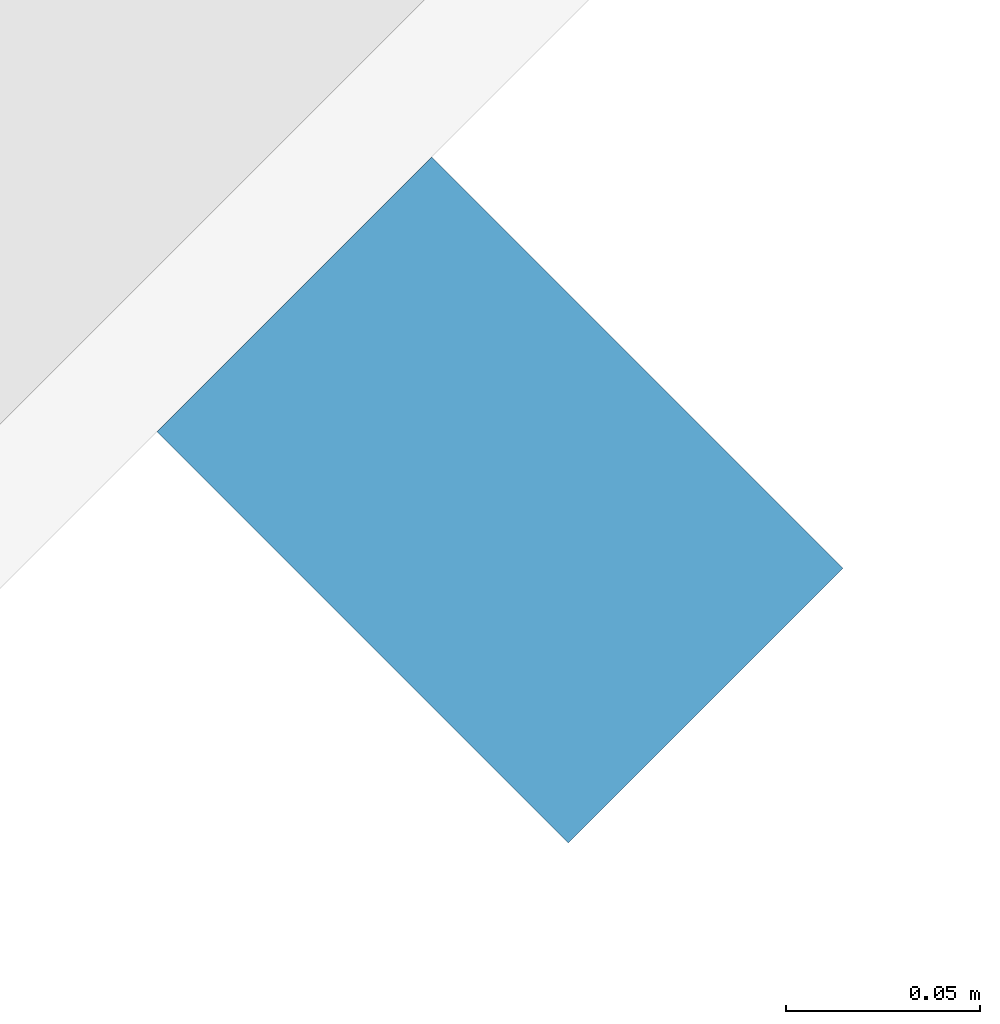
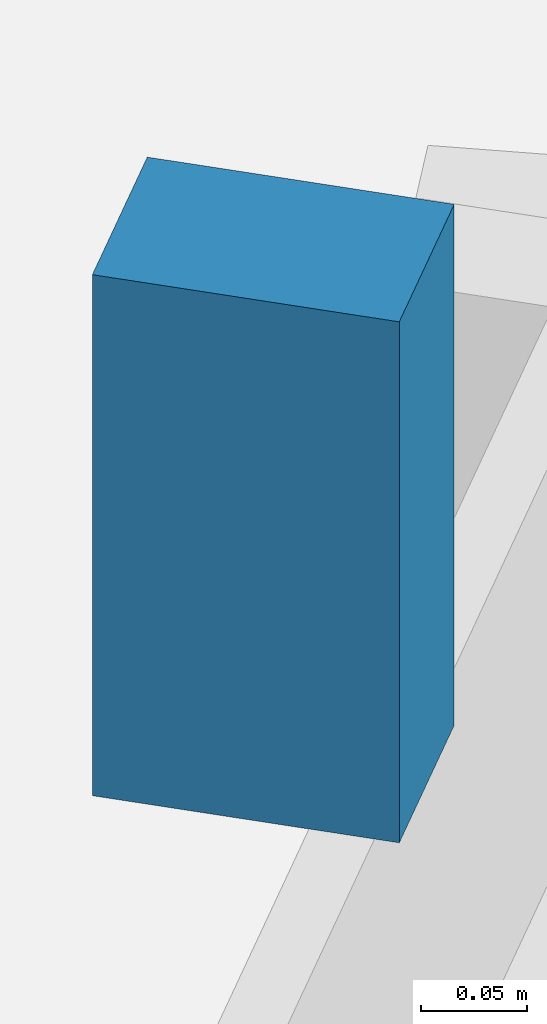
# One storey, part 10 of 26: 1 discrete accessory.
"""IFC4 building model written with IfcOpenShell, lengths in metres."""

from ifc_helpers import new_model, si_unit, direction, frame, origin, origin_2d, place, context, subcontext, project, spatial, rectangle, extrude, material, type_object, element, save


model = new_model("IFC4")

# Units and contexts
model_context = context("Model", 3, precision=1e-05, world=origin(), true_north=direction((0.0, 1.0)))
body_context = subcontext(model_context, "Body", "Model", "MODEL_VIEW")
ifc_project = project(units=[si_unit("LENGTHUNIT", "METRE"), si_unit("AREAUNIT", "SQUARE_METRE"), si_unit("VOLUMEUNIT", "CUBIC_METRE"), si_unit("PLANEANGLEUNIT", "RADIAN"), si_unit("MASSUNIT", "GRAM", prefix="KILO")], contexts=[model_context])

# Site, building, storey
site_placement = place(None, origin())
site = spatial("IfcSite", under=ifc_project, at=site_placement, CompositionType="ELEMENT")
building_placement = place(site_placement, origin())
building = spatial("IfcBuilding", under=site, at=building_placement, Name="Qamariyya Broadcast Tower", CompositionType="ELEMENT")
storey_placement = place(building_placement, frame((0.0, 0.0, 183.5)))
storey = spatial("IfcBuildingStorey", under=building, at=storey_placement, Name="L43", CompositionType="ELEMENT", Elevation=183.5)

# Discrete accessory
ifc_material = material(Name="Stainless steel 316", Category="steel")
discrete_accessory_type = type_object("IfcDiscreteAccessoryType", Name="Slab edge fixing angle, stainless steel", PredefinedType="BRACKET", material=ifc_material)
discrete_accessory_placement = place(storey_placement, frame((58.534912109375, -53.0546875, 3.2998046875), z_axis=(0.0, 0.0, 1.0), x_axis=(0.707106781187, 0.707106781187, 0.0)))
element("IfcDiscreteAccessory", 1, at=discrete_accessory_placement, inside=storey, type_object=discrete_accessory_type, Name="e-br-L43-13-0", PredefinedType="BRACKET", context=body_context, shape_type="SweptSolid", body=[
    extrude(rectangle(XDim=0.10009765625, YDim=0.14990234375, at=origin_2d()), origin(), (0.0, 0.0, 1.0), 0.300048828125),
])

save(model, "model.ifc")
